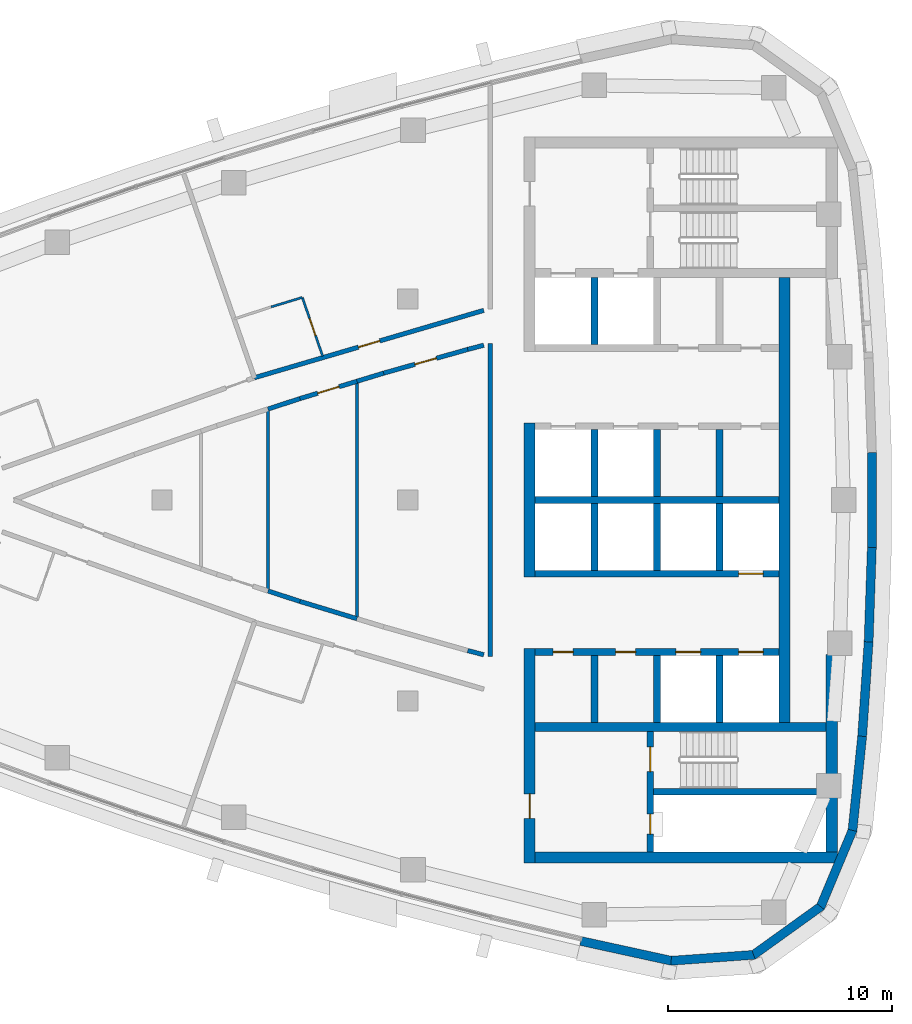
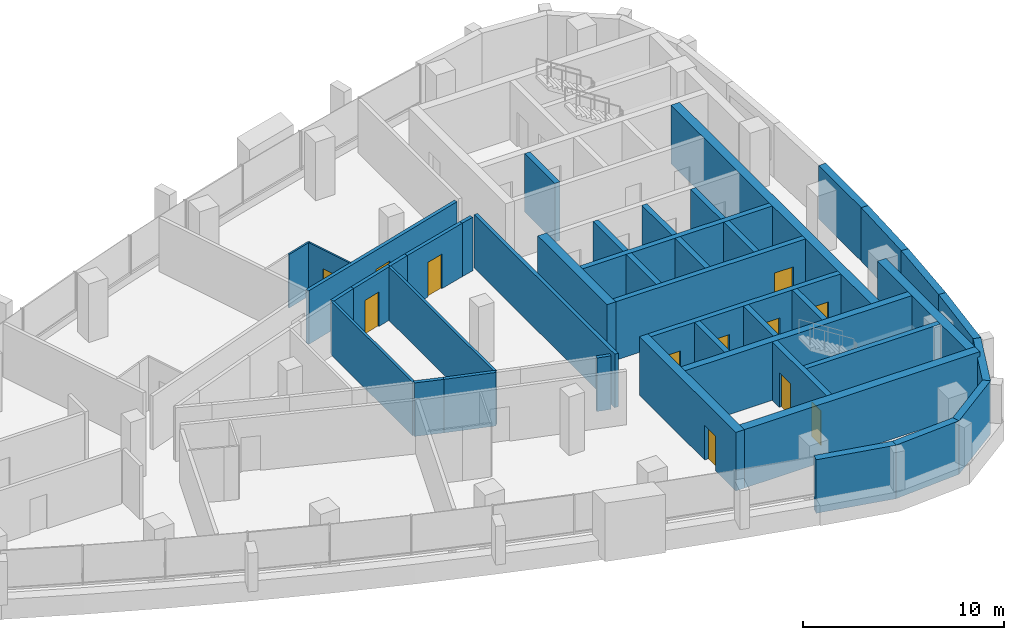
# One storey, part 8 of 14: 43 walls, 12 doors, 12 openings.
"""IFC4 building model written with IfcOpenShell, lengths in metres."""

import ifcopenshell
import ifcopenshell.guid

model = None  # the IFC model being written
_history = None  # IfcOwnerHistory: only IFC2X3 demands one
_inside = {}  # id of a spatial element -> (the spatial element, [elements in it])
_under = {}  # id of a project, library or spatial element -> (it, [spatial elements below it])
_declared = {}  # id of a project -> (the project, [libraries it declares])
_typed = {}  # id of a type object -> (the type object, [elements of that type])
_made_of = {}  # id of a material, layer set ... -> (it, [elements and type objects made of it])


def new_model(schema):
    """Start an empty IFC model of exactly this schema.

    Asked for "IFC4X3", IfcOpenShell would pick the latest addendum, in which some entities
    have other attributes; the version numbers below select the first issue.
    IFC2X3 requires an IfcOwnerHistory on every rooted entity: one is made here for all.
    """
    global model, _history
    if schema == "IFC4X3":
        model = ifcopenshell.file(schema_version=(4, 3, 0, 0))
    else:
        model = ifcopenshell.file(schema=schema)
    _inside.clear()
    _under.clear()
    _declared.clear()
    _typed.clear()
    _made_of.clear()
    _history = None
    if model.schema == "IFC2X3":
        org = make("IfcOrganization", Name="unknown")
        user = make(
            "IfcPersonAndOrganization",
            ThePerson=make("IfcPerson", FamilyName="unknown"),
            TheOrganization=org,
        )
        app = make(
            "IfcApplication",
            ApplicationDeveloper=org,
            Version="unknown",
            ApplicationFullName="unknown",
            ApplicationIdentifier="unknown",
        )
        _history = make(
            "IfcOwnerHistory",
            OwningUser=user,
            OwningApplication=app,
            ChangeAction="ADDED",
            CreationDate=0,
        )
    return model


def make(cls, **values):
    """One entity of the class cls with the attributes given. An attribute that is None is left unset."""
    return model.create_entity(
        cls, **{name: value for name, value in values.items() if value is not None}
    )


def rooted(cls, **values):
    """An entity with a GlobalId (a new one), such as an element, a storey or a relation."""
    return make(cls, GlobalId=ifcopenshell.guid.new(), OwnerHistory=_history, **values)


def si_unit(unit_type, name, prefix=None):
    """IfcSIUnit, for example si_unit("LENGTHUNIT", "METRE", prefix="MILLI")."""
    return make("IfcSIUnit", UnitType=unit_type, Prefix=prefix, Name=name)


def assignment(units):
    """IfcUnitAssignment: the units of a project."""
    return None if units is None else make("IfcUnitAssignment", Units=units)


def point(xyz):
    """IfcCartesianPoint."""
    return None if xyz is None else make("IfcCartesianPoint", Coordinates=xyz)


def direction(xyz):
    """IfcDirection."""
    return None if xyz is None else make("IfcDirection", DirectionRatios=xyz)


def frame(location, z_axis=None, x_axis=None):
    """IfcAxis2Placement3D, a coordinate frame: its origin and axes. An axis left out is left unset."""
    return make(
        "IfcAxis2Placement3D",
        Location=point(location),
        Axis=direction(z_axis),
        RefDirection=direction(x_axis),
    )


def frame_2d(location, x_axis=None):
    """IfcAxis2Placement2D, a coordinate frame in the plane: its origin and x axis."""
    return make(
        "IfcAxis2Placement2D", Location=point(location), RefDirection=direction(x_axis)
    )


def origin():
    """The frame at (0, 0, 0) with its axes left unset."""
    return frame((0.0, 0.0, 0.0))


def place(relative_to, where):
    """IfcLocalPlacement: puts the frame where relative to a parent placement (None: the world)."""
    return make(
        "IfcLocalPlacement", PlacementRelTo=relative_to, RelativePlacement=where
    )


def context(
    kind, dimensions, precision=None, world=None, true_north=None, identifier=None
):
    """IfcGeometricRepresentationContext, for example the 3D "Model" context."""
    return make(
        "IfcGeometricRepresentationContext",
        ContextIdentifier=identifier,
        ContextType=kind,
        CoordinateSpaceDimension=dimensions,
        Precision=precision,
        WorldCoordinateSystem=world,
        TrueNorth=true_north,
    )


def subcontext(parent, identifier, kind, view, scale=None):
    """IfcGeometricRepresentationSubContext, for example "Body" below "Model"."""
    return make(
        "IfcGeometricRepresentationSubContext",
        ContextIdentifier=identifier,
        ContextType=kind,
        ParentContext=parent,
        TargetScale=scale,
        TargetView=view,
    )


def project(units=None, contexts=None):
    """IfcProject with its units and contexts."""
    return rooted(
        "IfcProject",
        Name="project",
        RepresentationContexts=contexts,
        UnitsInContext=assignment(units),
    )


def spatial(cls, under=None, at=None, **own):
    """A site, building, storey or space (cls), placed at a placement, below another one or the project."""
    s = rooted(cls, ObjectPlacement=at, **own)
    if under is not None:
        _under.setdefault(under.id(), (under, []))[1].append(s)
    return s


def polyline(points):
    """IfcPolyline through the points."""
    return make("IfcPolyline", Points=[point(p) for p in points])


def profile(cls, at=None, kind="AREA", **sizes):
    """A parametric profile (cls). Its sizes go by their IFC names, for example OverallWidth=200.0."""
    return make(cls, ProfileType=kind, Position=at, **sizes)


def rectangle(**sizes):
    """IfcRectangleProfileDef."""
    return profile("IfcRectangleProfileDef", **sizes)


def outline(outer, holes=None, kind="AREA"):
    """IfcArbitraryClosedProfileDef: a profile drawn as a closed curve; with holes, ...WithVoids."""
    if holes is None:
        return make("IfcArbitraryClosedProfileDef", ProfileType=kind, OuterCurve=outer)
    return make(
        "IfcArbitraryProfileDefWithVoids",
        ProfileType=kind,
        OuterCurve=outer,
        InnerCurves=holes,
    )


def extrude(swept, where, along, depth):
    """IfcExtrudedAreaSolid: the profile swept, set in the frame where, extruded along a direction by depth."""
    return make(
        "IfcExtrudedAreaSolid",
        SweptArea=swept,
        Position=where,
        ExtrudedDirection=direction(along),
        Depth=depth,
    )


def shape(context_of_items, identifier, shape_type, items):
    """IfcShapeRepresentation: the items that make up one representation, for example the "Body"."""
    return make(
        "IfcShapeRepresentation",
        ContextOfItems=context_of_items,
        RepresentationIdentifier=identifier,
        RepresentationType=shape_type,
        Items=items,
    )


def material(Name=None, Category=None):
    """IfcMaterial."""
    return make("IfcMaterial", Name=Name, Category=Category)


def layer(
    of_material, thickness, ventilated=None, Name=None, Category=None, Priority=None
):
    """IfcMaterialLayer: one layer of a wall or slab, of a material (None: an air gap)."""
    return make(
        "IfcMaterialLayer",
        Material=of_material,
        LayerThickness=thickness,
        IsVentilated=ventilated,
        Name=Name,
        Category=Category,
        Priority=Priority,
    )


def layer_set(layers, Name=None):
    """IfcMaterialLayerSet."""
    return make("IfcMaterialLayerSet", MaterialLayers=layers, LayerSetName=Name)


def made_of(thing, what):
    """Note that an element or type object is made of a material, layer set ...; save() writes the relation."""
    if what is not None:
        _made_of.setdefault(what.id(), (what, []))[1].append(thing)
    return thing


def type_object(cls, material=None, **own):
    """A type object (cls), such as IfcWallType, which elements share."""
    return made_of(rooted(cls, **own), material)


def element(
    cls,
    number,
    at=None,
    inside=None,
    cuts=None,
    type_object=None,
    material=None,
    context=None,
    identifier="Body",
    shape_type=None,
    held_by="IfcProductDefinitionShape",
    body=None,
    shapes=None,
    **own,
):
    """One element of the class cls, such as IfcWall. Its Tag is "e" and its number.

    at: its placement. inside: the storey or other place that contains it. cuts: it is an
    opening in that element (IfcRelVoidsElement). A single representation is given by context,
    identifier, shape_type and body (its items); several are given by shapes. held_by: the class
    of the entity that holds the representations. save() writes the other relations.
    """
    e = rooted(cls, Tag="e%d" % number, ObjectPlacement=at, **own)
    if body is not None:
        shapes = [shape(context, identifier, shape_type, body)]
    if shapes is not None:
        e.Representation = make(held_by, Representations=shapes)
    if inside is not None:
        _inside.setdefault(inside.id(), (inside, []))[1].append(e)
    if cuts is not None:
        rooted(
            "IfcRelVoidsElement", RelatingBuildingElement=cuts, RelatedOpeningElement=e
        )
    if type_object is not None:
        _typed.setdefault(type_object.id(), (type_object, []))[1].append(e)
    return made_of(e, material)


def fill(opening, filler):
    """IfcRelFillsElement: the door or window that sits in an opening."""
    return rooted(
        "IfcRelFillsElement",
        RelatingOpeningElement=opening,
        RelatedBuildingElement=filler,
    )


def aggregate(whole, parts):
    """IfcRelAggregates: a whole, such as a stair, and the parts it consists of."""
    return rooted("IfcRelAggregates", RelatingObject=whole, RelatedObjects=parts)


def save(model, path):
    """Write the relations noted so far, then the file.

    IfcRelAggregates (storeys below a building ...), IfcRelContainedInSpatialStructure (elements
    in a storey), IfcRelDefinesByType, IfcRelAssociatesMaterial and IfcRelDeclares: one each for
    every whole, place, type object, material and project.
    """
    for whole, parts in _under.values():
        aggregate(whole, parts)
    for where, things in _inside.values():
        rooted(
            "IfcRelContainedInSpatialStructure",
            RelatedElements=things,
            RelatingStructure=where,
        )
    for kind, things in _typed.values():
        rooted("IfcRelDefinesByType", RelatedObjects=things, RelatingType=kind)
    for what, things in _made_of.values():
        rooted("IfcRelAssociatesMaterial", RelatedObjects=things, RelatingMaterial=what)
    for by, libraries in _declared.values():
        rooted("IfcRelDeclares", RelatingContext=by, RelatedDefinitions=libraries)
    model.write(path)


model = new_model("IFC4")

# Units and contexts
model_context = context("Model", 3, precision=1e-05, world=origin(), true_north=direction((0.0, 1.0)))
body_context = subcontext(model_context, "Body", "Model", "MODEL_VIEW")
ifc_project = project(units=[si_unit("LENGTHUNIT", "METRE"), si_unit("AREAUNIT", "SQUARE_METRE"), si_unit("VOLUMEUNIT", "CUBIC_METRE"), si_unit("PLANEANGLEUNIT", "RADIAN"), si_unit("MASSUNIT", "GRAM", prefix="KILO")], contexts=[model_context])

# Site, building, storey
site_placement = place(None, origin())
site = spatial("IfcSite", under=ifc_project, at=site_placement, CompositionType="ELEMENT")
building_placement = place(site_placement, origin())
building = spatial("IfcBuilding", under=site, at=building_placement, Name="Ostrand Prow Hotel Tower", CompositionType="ELEMENT")
storey_placement = place(building_placement, frame((0.0, 0.0, 278.550048828125)))
storey = spatial("IfcBuildingStorey", under=building, at=storey_placement, Name="L70", CompositionType="ELEMENT", Elevation=278.550048828125)

# Walls
ifc_material_1 = material(Name="Concrete C50/60", Category="concrete")
ifc_layer_1 = layer(ifc_material_1, 0.300048828125)
ifc_layer_set_1 = layer_set([ifc_layer_1], Name="Concrete C50/60")
wall_type_1 = type_object("IfcWallType", Name="Core wall 300 C50/60", PredefinedType="SHEAR", material=ifc_layer_set_1)
wall_1_placement = place(storey_placement, frame((50.699951171875, 0.0, 0.0), z_axis=(0.0, 0.0, 1.0), x_axis=(1.0, 0.0, 0.0)))
element("IfcWall", 1, at=wall_1_placement, inside=storey, type_object=wall_type_1, Name="Core wall PW-C", PredefinedType="SHEAR", context=body_context, shape_type="SweptSolid", body=[
    extrude(rectangle(XDim=10.900146484375, YDim=0.300048828125, at=frame_2d((5.4501953125, 0.0))), origin(), (0.0, 0.0, 1.0), 3.550048828125),
])
for number, where, z_axis, x_axis, name in (
    (2, (53.35009765625, 0.14990234375, 0.0), (0.0, 0.0, 1.0), (0.0, 1.0, 0.0), "Core wall PW-R1-NB"),
    (3, (53.35009765625, 6.949951171875, 0.0), (0.0, 0.0, 1.0), (0.0, 1.0, 0.0), "Core wall PW-R1-NA"),
    (4, (56.14990234375, 0.14990234375, 0.0), (0.0, 0.0, 1.0), (0.0, 1.0, 0.0), "Core wall PW-R2-NB"),
    (5, (58.949951171875, 0.14990234375, 0.0), (0.0, 0.0, 1.0), (0.0, 1.0, 0.0), "Core wall PW-R3-NB"),
):
    element("IfcWall", number, at=place(storey_placement, frame(where, z_axis=z_axis, x_axis=x_axis)), inside=storey, type_object=wall_type_1, Name=name, PredefinedType="SHEAR", context=body_context, shape_type="SweptSolid", body=[
        extrude(rectangle(XDim=3.0, YDim=0.300048828125, at=frame_2d((1.5, 0.0))), origin(), (0.0, 0.0, 1.0), 3.550048828125),
    ])

# Wall, opening, door
wall_2_placement = place(storey_placement, frame((50.699951171875, -3.300048828125, 0.0), z_axis=(0.0, 0.0, 1.0), x_axis=(1.0, 0.0, 0.0)))
wall_2 = element("IfcWall", 6, at=wall_2_placement, inside=storey, type_object=wall_type_1, Name="Core wall PW-L1-S", PredefinedType="SHEAR", context=body_context, shape_type="SweptSolid", body=[
    extrude(rectangle(XDim=10.900146484375, YDim=0.300048828125, at=frame_2d((5.4501953125, 0.0))), origin(), (0.0, 0.0, 1.0), 3.550048828125),
])
opening_1_placement = place(wall_2_placement, frame((9.10009765625, 0.0, 0.0)))
opening_1 = element("IfcOpeningElement", 7, at=opening_1_placement, cuts=wall_2, Name="Opening LD", PredefinedType="OPENING", context=body_context, shape_type="SweptSolid", body=[
    extrude(rectangle(XDim=1.10009765625, YDim=2.10009765625, at=frame_2d((0.550048828125, 1.050048828125))), frame((0.0, 0.159912109375, 0.0), z_axis=(0.0, -1.0, 0.0), x_axis=(1.0, 0.0, 0.0)), (0.0, 0.0, 1.0), 0.320068359375),
])
ifc_material_2 = material(Name="Stainless steel door", Category="steel")
door_type_1 = type_object("IfcDoorType", Name="Lift landing door 1100", OperationType="DOUBLE_DOOR_SLIDING", PredefinedType="DOOR", material=ifc_material_2)
door_1_placement = place(opening_1_placement, origin())
door_1 = element("IfcDoor", 8, at=door_1_placement, inside=storey, type_object=door_type_1, Name="LIFT LANDING DOOR", OperationType="DOUBLE_DOOR_SLIDING", OverallHeight=2.10009765625, OverallWidth=1.10009765625, PredefinedType="DOOR", context=body_context, shape_type="SweptSolid", body=[
    extrude(rectangle(XDim=1.10009765625, YDim=2.10009765625, at=frame_2d((0.550048828125, 1.050048828125))), frame((0.0, 0.02490234375, 0.0), z_axis=(0.0, -1.0, 0.0), x_axis=(1.0, 0.0, 0.0)), (0.0, 0.0, 1.0), 0.050048828125),
])
fill(opening_1, door_1)

# Wall, openings, doors
wall_3_placement = place(storey_placement, frame((50.699951171875, -6.800048828125, 0.0), z_axis=(0.0, 0.0, 1.0), x_axis=(1.0, 0.0, 0.0)))
wall_3 = element("IfcWall", 9, at=wall_3_placement, inside=storey, type_object=wall_type_1, Name="Core wall PW-L2-S", PredefinedType="SHEAR", context=body_context, shape_type="SweptSolid", body=[
    extrude(rectangle(XDim=10.900146484375, YDim=0.300048828125, at=frame_2d((5.4501953125, 0.0))), origin(), (0.0, 0.0, 1.0), 3.550048828125),
])
opening_2_placement = place(wall_3_placement, frame((6.300048828125, 0.0, 0.0)))
opening_2 = element("IfcOpeningElement", 10, at=opening_2_placement, cuts=wall_3, Name="Opening LD", PredefinedType="OPENING", context=body_context, shape_type="SweptSolid", body=[
    extrude(rectangle(XDim=1.10009765625, YDim=2.10009765625, at=frame_2d((0.550048828125, 1.050048828125))), frame((0.0, 0.159912109375, 0.0), z_axis=(0.0, -1.0, 0.0), x_axis=(1.0, 0.0, 0.0)), (0.0, 0.0, 1.0), 0.320068359375),
])
opening_3_placement = place(wall_3_placement, frame((9.10009765625, 0.0, 0.0)))
opening_3 = element("IfcOpeningElement", 11, at=opening_3_placement, cuts=wall_3, Name="Opening LD", PredefinedType="OPENING", context=body_context, shape_type="SweptSolid", body=[
    extrude(rectangle(XDim=1.10009765625, YDim=2.10009765625, at=frame_2d((0.550048828125, 1.050048828125))), frame((0.0, 0.159912109375, 0.0), z_axis=(0.0, -1.0, 0.0), x_axis=(1.0, 0.0, 0.0)), (0.0, 0.0, 1.0), 0.320068359375),
])
opening_4_placement = place(wall_3_placement, frame((0.800048828125, 0.0, 0.0)))
opening_4 = element("IfcOpeningElement", 12, at=opening_4_placement, cuts=wall_3, Name="Opening FD2", PredefinedType="OPENING", context=body_context, shape_type="SweptSolid", body=[
    extrude(rectangle(XDim=0.89990234375, YDim=2.10009765625, at=frame_2d((0.449951171875, 1.050048828125))), frame((0.0, 0.159912109375, 0.0), z_axis=(0.0, -1.0, 0.0), x_axis=(1.0, 0.0, 0.0)), (0.0, 0.0, 1.0), 0.320068359375),
])
opening_5_placement = place(wall_3_placement, frame((3.60009765625, 0.0, 0.0)))
opening_5 = element("IfcOpeningElement", 13, at=opening_5_placement, cuts=wall_3, Name="Opening FD2", PredefinedType="OPENING", context=body_context, shape_type="SweptSolid", body=[
    extrude(rectangle(XDim=0.89990234375, YDim=2.10009765625, at=frame_2d((0.449951171875, 1.050048828125))), frame((0.0, 0.159912109375, 0.0), z_axis=(0.0, -1.0, 0.0), x_axis=(1.0, 0.0, 0.0)), (0.0, 0.0, 1.0), 0.320068359375),
])
ifc_material_3 = material(Name="Steel fire door", Category="steel")
door_type_2 = type_object("IfcDoorType", Name="Fire door 900 EI120", OperationType="SINGLE_SWING_LEFT", PredefinedType="DOOR", material=ifc_material_3)
door_2_placement = place(opening_4_placement, origin())
door_2 = element("IfcDoor", 14, at=door_2_placement, inside=storey, type_object=door_type_2, Name="DOOR", OperationType="SINGLE_SWING_LEFT", OverallHeight=2.10009765625, OverallWidth=0.89990234375, PredefinedType="DOOR", context=body_context, shape_type="SweptSolid", body=[
    extrude(rectangle(XDim=0.89990234375, YDim=2.10009765625, at=frame_2d((0.449951171875, 1.050048828125))), frame((0.0, 0.02490234375, 0.0), z_axis=(0.0, -1.0, 0.0), x_axis=(1.0, 0.0, 0.0)), (0.0, 0.0, 1.0), 0.050048828125),
])
fill(opening_4, door_2)
door_3_placement = place(opening_5_placement, origin())
door_3 = element("IfcDoor", 15, at=door_3_placement, inside=storey, type_object=door_type_2, Name="DOOR", OperationType="SINGLE_SWING_LEFT", OverallHeight=2.10009765625, OverallWidth=0.89990234375, PredefinedType="DOOR", context=body_context, shape_type="SweptSolid", body=[
    extrude(rectangle(XDim=0.89990234375, YDim=2.10009765625, at=frame_2d((0.449951171875, 1.050048828125))), frame((0.0, 0.02490234375, 0.0), z_axis=(0.0, -1.0, 0.0), x_axis=(1.0, 0.0, 0.0)), (0.0, 0.0, 1.0), 0.050048828125),
])
fill(opening_5, door_3)
door_4_placement = place(opening_2_placement, origin())
door_4 = element("IfcDoor", 16, at=door_4_placement, inside=storey, type_object=door_type_1, Name="LIFT LANDING DOOR", OperationType="DOUBLE_DOOR_SLIDING", OverallHeight=2.10009765625, OverallWidth=1.10009765625, PredefinedType="DOOR", context=body_context, shape_type="SweptSolid", body=[
    extrude(rectangle(XDim=1.10009765625, YDim=2.10009765625, at=frame_2d((0.550048828125, 1.050048828125))), frame((0.0, 0.02490234375, 0.0), z_axis=(0.0, -1.0, 0.0), x_axis=(1.0, 0.0, 0.0)), (0.0, 0.0, 1.0), 0.050048828125),
])
fill(opening_2, door_4)
door_5_placement = place(opening_3_placement, origin())
door_5 = element("IfcDoor", 17, at=door_5_placement, inside=storey, type_object=door_type_1, Name="LIFT LANDING DOOR", OperationType="DOUBLE_DOOR_SLIDING", OverallHeight=2.10009765625, OverallWidth=1.10009765625, PredefinedType="DOOR", context=body_context, shape_type="SweptSolid", body=[
    extrude(rectangle(XDim=1.10009765625, YDim=2.10009765625, at=frame_2d((0.550048828125, 1.050048828125))), frame((0.0, 0.02490234375, 0.0), z_axis=(0.0, -1.0, 0.0), x_axis=(1.0, 0.0, 0.0)), (0.0, 0.0, 1.0), 0.050048828125),
])
fill(opening_3, door_5)

# Walls
for number, where, z_axis, x_axis, name in (
    (18, (53.35009765625, -3.14990234375, 0.0), (0.0, 0.0, 1.0), (0.0, 1.0, 0.0), "Core wall PW-R1-SB"),
    (19, (53.35009765625, -9.949951171875, 0.0), (0.0, 0.0, 1.0), (0.0, 1.0, 0.0), "Core wall PW-R1-SA"),
    (20, (56.14990234375, -3.14990234375, 0.0), (0.0, 0.0, 1.0), (0.0, 1.0, 0.0), "Core wall PW-R2-SB"),
    (21, (56.14990234375, -9.949951171875, 0.0), (0.0, 0.0, 1.0), (0.0, 1.0, 0.0), "Core wall PW-R2-SA"),
    (22, (58.949951171875, -3.14990234375, 0.0), (0.0, 0.0, 1.0), (0.0, 1.0, 0.0), "Core wall PW-R3-SB"),
    (23, (58.949951171875, -9.949951171875, 0.0), (0.0, 0.0, 1.0), (0.0, 1.0, 0.0), "Core wall PW-R3-SA"),
):
    element("IfcWall", number, at=place(storey_placement, frame(where, z_axis=z_axis, x_axis=x_axis)), inside=storey, type_object=wall_type_1, Name=name, PredefinedType="SHEAR", context=body_context, shape_type="SweptSolid", body=[
        extrude(rectangle(XDim=3.0, YDim=0.300048828125, at=frame_2d((1.5, 0.0))), origin(), (0.0, 0.0, 1.0), 3.550048828125),
    ])

# Wall, openings, doors
wall_4_placement = place(storey_placement, frame((55.85009765625, -15.75, 0.0), z_axis=(0.0, 0.0, 1.0), x_axis=(0.0, 1.0, 0.0)))
wall_4 = element("IfcWall", 24, at=wall_4_placement, inside=storey, type_object=wall_type_1, Name="Core wall PW-VS", PredefinedType="SHEAR", context=body_context, shape_type="SweptSolid", body=[
    extrude(rectangle(XDim=5.39990234375, YDim=0.300048828125, at=frame_2d((2.699951171875, 0.0))), origin(), (0.0, 0.0, 1.0), 3.550048828125),
])
opening_6_placement = place(wall_4_placement, frame((3.60009765625, 0.0, 0.0)))
opening_6 = element("IfcOpeningElement", 25, at=opening_6_placement, cuts=wall_4, Name="Opening FD1", PredefinedType="OPENING", context=body_context, shape_type="SweptSolid", body=[
    extrude(rectangle(XDim=1.10009765625, YDim=2.10009765625, at=frame_2d((0.550048828125, 1.050048828125))), frame((0.0, 0.159912109375, 0.0), z_axis=(0.0, -1.0, 0.0), x_axis=(1.0, 0.0, 0.0)), (0.0, 0.0, 1.0), 0.320068359375),
])
opening_7_placement = place(wall_4_placement, frame((0.800048828125, 0.0, 0.0)))
opening_7 = element("IfcOpeningElement", 26, at=opening_7_placement, cuts=wall_4, Name="Opening FD2", PredefinedType="OPENING", context=body_context, shape_type="SweptSolid", body=[
    extrude(rectangle(XDim=0.89990234375, YDim=2.10009765625, at=frame_2d((0.449951171875, 1.050048828125))), frame((0.0, 0.159912109375, 0.0), z_axis=(0.0, -1.0, 0.0), x_axis=(1.0, 0.0, 0.0)), (0.0, 0.0, 1.0), 0.320068359375),
])
ifc_material_4 = material(Name="Steel fire door", Category="steel")
door_type_3 = type_object("IfcDoorType", Name="Fire door 1100 EI120", OperationType="SINGLE_SWING_RIGHT", PredefinedType="DOOR", material=ifc_material_4)
door_6_placement = place(opening_6_placement, origin())
door_6 = element("IfcDoor", 27, at=door_6_placement, inside=storey, type_object=door_type_3, Name="FIRE DOOR", OperationType="SINGLE_SWING_RIGHT", OverallHeight=2.10009765625, OverallWidth=1.10009765625, PredefinedType="DOOR", context=body_context, shape_type="SweptSolid", body=[
    extrude(rectangle(XDim=1.10009765625, YDim=2.10009765625, at=frame_2d((0.550048828125, 1.050048828125))), frame((0.0, 0.02490234375, 0.0), z_axis=(0.0, -1.0, 0.0), x_axis=(1.0, 0.0, 0.0)), (0.0, 0.0, 1.0), 0.050048828125),
])
fill(opening_6, door_6)
door_7_placement = place(opening_7_placement, origin())
door_7 = element("IfcDoor", 28, at=door_7_placement, inside=storey, type_object=door_type_2, Name="FIRE DOOR", OperationType="SINGLE_SWING_LEFT", OverallHeight=2.10009765625, OverallWidth=0.89990234375, PredefinedType="DOOR", context=body_context, shape_type="SweptSolid", body=[
    extrude(rectangle(XDim=0.89990234375, YDim=2.10009765625, at=frame_2d((0.449951171875, 1.050048828125))), frame((0.0, 0.02490234375, 0.0), z_axis=(0.0, -1.0, 0.0), x_axis=(1.0, 0.0, 0.0)), (0.0, 0.0, 1.0), 0.050048828125),
])
fill(opening_7, door_7)

# Walls
wall_5_placement = place(storey_placement, frame((56.0, -13.050048828125, 0.0), z_axis=(0.0, 0.0, 1.0), x_axis=(1.0, 0.0, 0.0)))
element("IfcWall", 29, at=wall_5_placement, inside=storey, type_object=wall_type_1, Name="Core wall PW-ST2R", PredefinedType="SHEAR", context=body_context, shape_type="SweptSolid", body=[
    extrude(rectangle(XDim=7.719970703125, YDim=0.300048828125, at=frame_2d((3.85986328125, 0.0))), origin(), (0.0, 0.0, 1.0), 3.550048828125),
])
ifc_material_5 = material(Name="Concrete C50/60", Category="concrete")
ifc_layer_2 = layer(ifc_material_5, 0.39990234375)
ifc_layer_set_2 = layer_set([ifc_layer_2], Name="Concrete C50/60")
wall_type_2 = type_object("IfcWallType", Name="Core wall 400 C50/60", PredefinedType="SHEAR", material=ifc_layer_set_2)
wall_6_placement = place(storey_placement, frame((50.699951171875, -10.14990234375, 0.0), z_axis=(0.0, 0.0, 1.0), x_axis=(1.0, 0.0, 0.0)))
element("IfcWall", 30, at=wall_6_placement, inside=storey, type_object=wall_type_2, Name="Core wall PW-BS", PredefinedType="SHEAR", context=body_context, shape_type="SweptSolid", body=[
    extrude(rectangle(XDim=13.02001953125, YDim=0.39990234375, at=frame_2d((6.510009765625, 0.0))), origin(), (0.0, 0.0, 1.0), 3.550048828125),
])
ifc_material_6 = material(Name="Concrete C50/60", Category="concrete")
ifc_layer_3 = layer(ifc_material_6, 0.5)
ifc_layer_set_3 = layer_set([ifc_layer_3], Name="Concrete C50/60")
wall_type_3 = type_object("IfcWallType", Name="Core wall 500 C50/60", PredefinedType="SHEAR", material=ifc_layer_set_3)
wall_7_placement = place(storey_placement, frame((50.449951171875, -3.449951171875, 0.0), z_axis=(0.0, 0.0, 1.0), x_axis=(0.0, 1.0, 0.0)))
element("IfcWall", 31, at=wall_7_placement, inside=storey, type_object=wall_type_3, Name="Core wall CW-W-C", PredefinedType="SHEAR", context=body_context, shape_type="SweptSolid", body=[
    extrude(rectangle(XDim=6.89990234375, YDim=0.5, at=frame_2d((3.449951171875, 0.0))), origin(), (0.0, 0.0, 1.0), 3.550048828125),
])

# Wall, opening, door
wall_8_placement = place(storey_placement, frame((50.449951171875, -16.25, 0.0), z_axis=(0.0, 0.0, 1.0), x_axis=(0.0, 1.0, 0.0)))
wall_8 = element("IfcWall", 32, at=wall_8_placement, inside=storey, type_object=wall_type_3, Name="Core wall CW-W-S", PredefinedType="SHEAR", context=body_context, shape_type="SweptSolid", body=[
    extrude(rectangle(XDim=9.60009765625, YDim=0.5, at=frame_2d((4.800048828125, 0.0))), origin(), (0.0, 0.0, 1.0), 3.550048828125),
])
opening_8_placement = place(wall_8_placement, frame((2.0, 0.0, 0.0)))
opening_8 = element("IfcOpeningElement", 33, at=opening_8_placement, cuts=wall_8, Name="Opening FD1", PredefinedType="OPENING", context=body_context, shape_type="SweptSolid", body=[
    extrude(rectangle(XDim=1.10009765625, YDim=2.10009765625, at=frame_2d((0.550048828125, 1.050048828125))), frame((0.0, 0.260009765625, 0.0), z_axis=(0.0, -1.0, 0.0), x_axis=(1.0, 0.0, 0.0)), (0.0, 0.0, 1.0), 0.52001953125),
])
door_8_placement = place(opening_8_placement, origin())
door_8 = element("IfcDoor", 34, at=door_8_placement, inside=storey, type_object=door_type_3, Name="FIRE DOOR", OperationType="SINGLE_SWING_RIGHT", OverallHeight=2.10009765625, OverallWidth=1.10009765625, PredefinedType="DOOR", context=body_context, shape_type="SweptSolid", body=[
    extrude(rectangle(XDim=1.10009765625, YDim=2.10009765625, at=frame_2d((0.550048828125, 1.050048828125))), frame((0.0, 0.02490234375, 0.0), z_axis=(0.0, -1.0, 0.0), x_axis=(1.0, 0.0, 0.0)), (0.0, 0.0, 1.0), 0.050048828125),
])
fill(opening_8, door_8)

# Walls
wall_9_placement = place(storey_placement, frame((50.699951171875, -16.0, 0.0), z_axis=(0.0, 0.0, 1.0), x_axis=(1.0, 0.0, 0.0)))
element("IfcWall", 35, at=wall_9_placement, inside=storey, type_object=wall_type_3, Name="Core wall CW-S", PredefinedType="SHEAR", context=body_context, shape_type="SweptSolid", body=[
    extrude(rectangle(XDim=13.52001953125, YDim=0.5, at=frame_2d((6.760009765625, 0.0))), origin(), (0.0, 0.0, 1.0), 3.550048828125),
])
wall_10_placement = place(storey_placement, frame((63.969970703125, -15.75, 0.0), z_axis=(0.0, 0.0, 1.0), x_axis=(0.0, 1.0, 0.0)))
element("IfcWall", 36, at=wall_10_placement, inside=storey, type_object=wall_type_3, Name="Core wall CW-E-S", PredefinedType="SHEAR", context=body_context, shape_type="SweptSolid", body=[
    extrude(rectangle(XDim=8.8466796875, YDim=0.5, at=frame_2d((4.42333984375, 0.0))), origin(), (0.0, 0.0, 1.0), 3.550048828125),
])
wall_11_placement = place(storey_placement, frame((61.85009765625, -9.949951171875, 0.0), z_axis=(0.0, 0.0, 1.0), x_axis=(0.0, 1.0, 0.0)))
element("IfcWall", 37, at=wall_11_placement, inside=storey, type_object=wall_type_3, Name="Core wall CW-E-C", PredefinedType="SHEAR", context=body_context, shape_type="SweptSolid", body=[
    extrude(rectangle(XDim=19.89990234375, YDim=0.5, at=frame_2d((9.949951171875, 0.0))), origin(), (0.0, 0.0, 1.0), 3.550048828125),
])
ifc_material_7 = material(Name="Plasterboard partition")
ifc_layer_4 = layer(ifc_material_7, 0.10009765625)
ifc_layer_set_4 = layer_set([ifc_layer_4], Name="Plasterboard partition")
wall_type_4 = type_object("IfcWallType", Name="Partition 100 bathroom wall", PredefinedType="PARTITIONING", material=ifc_layer_set_4)
wall_12_placement = place(storey_placement, frame((38.88232421875, 8.6376953125, 0.0), z_axis=(0.0, 0.0, 1.0), x_axis=(0.956734544447, 0.290962216555, 0.0)))
element("IfcWall", 38, at=wall_12_placement, inside=storey, type_object=wall_type_4, Name="BATHROOM WALL", PredefinedType="PARTITIONING", context=body_context, shape_type="SweptSolid", body=[
    extrude(rectangle(XDim=1.461669921875, YDim=0.10009765625, at=frame_2d((0.73095703125, 0.0))), origin(), (0.0, 0.0, 1.0), 3.25),
])

# Wall, opening, door
wall_13_placement = place(storey_placement, frame((40.281005859375, 9.062744140625, 0.0), z_axis=(0.0, 0.0, 1.0), x_axis=(0.327695885805, -0.944783258968, 0.0)))
wall_13 = element("IfcWall", 39, at=wall_13_placement, inside=storey, type_object=wall_type_4, Name="BATHROOM WALL", PredefinedType="PARTITIONING", context=body_context, shape_type="SweptSolid", body=[
    extrude(rectangle(XDim=2.779052734375, YDim=0.10009765625, at=frame_2d((1.3896484375, 0.0))), origin(), (0.0, 0.0, 1.0), 3.25),
])
opening_9_placement = place(wall_13_placement, frame((1.0, 0.0, 0.0)))
opening_9 = element("IfcOpeningElement", 40, at=opening_9_placement, cuts=wall_13, Name="Opening D2", PredefinedType="OPENING", context=body_context, shape_type="SweptSolid", body=[
    extrude(rectangle(XDim=0.800048828125, YDim=2.10009765625, at=frame_2d((0.39990234375, 1.050048828125))), frame((0.0, 0.06005859375, 0.0), z_axis=(0.0, -1.0, 0.0), x_axis=(1.0, 0.0, 0.0)), (0.0, 0.0, 1.0), 0.1201171875),
])
ifc_material_8 = material(Name="Timber door leaf", Category="wood")
door_type_4 = type_object("IfcDoorType", Name="Bathroom door 800", OperationType="SINGLE_SWING_LEFT", PredefinedType="DOOR", material=ifc_material_8)
door_9_placement = place(opening_9_placement, origin())
door_9 = element("IfcDoor", 41, at=door_9_placement, inside=storey, type_object=door_type_4, Name="DOOR", OperationType="SINGLE_SWING_LEFT", OverallHeight=2.10009765625, OverallWidth=0.800048828125, PredefinedType="DOOR", context=body_context, shape_type="SweptSolid", body=[
    extrude(rectangle(XDim=0.800048828125, YDim=2.10009765625, at=frame_2d((0.39990234375, 1.050048828125))), frame((0.0, 0.02490234375, 0.0), z_axis=(0.0, -1.0, 0.0), x_axis=(1.0, 0.0, 0.0)), (0.0, 0.0, 1.0), 0.050048828125),
])
fill(opening_9, door_9)

# Walls
ifc_material_9 = material(Name="Plasterboard partition")
ifc_layer_5 = layer(ifc_material_9, 0.14990234375)
ifc_layer_set_5 = layer_set([ifc_layer_5], Name="Plasterboard partition")
wall_type_5 = type_object("IfcWallType", Name="Partition 150 room partition", PredefinedType="PARTITIONING", material=ifc_layer_set_5)
wall_14_placement = place(storey_placement, frame((38.746337890625, -4.0703125, 0.0), z_axis=(0.0, 0.0, 1.0), x_axis=(0.0, 1.0, 0.0)))
element("IfcWall", 42, at=wall_14_placement, inside=storey, type_object=wall_type_5, Name="ROOM PARTITION", PredefinedType="PARTITIONING", context=body_context, shape_type="SweptSolid", body=[
    extrude(rectangle(XDim=8.140625, YDim=0.14990234375, at=frame_2d((4.0703125, 0.0))), origin(), (0.0, 0.0, 1.0), 3.25),
])
wall_15_placement = place(storey_placement, frame((42.727783203125, -5.3125, 0.0), z_axis=(0.0, 0.0, 1.0), x_axis=(0.0, 1.0, 0.0)))
element("IfcWall", 43, at=wall_15_placement, inside=storey, type_object=wall_type_5, Name="ROOM PARTITION", PredefinedType="PARTITIONING", context=body_context, shape_type="SweptSolid", body=[
    extrude(rectangle(XDim=10.625, YDim=0.14990234375, at=frame_2d((5.3125, 0.0))), origin(), (0.0, 0.0, 1.0), 3.25),
])

# Wall, opening, door
ifc_material_10 = material(Name="Plasterboard partition")
ifc_layer_6 = layer(ifc_material_10, 0.199951171875)
ifc_layer_set_6 = layer_set([ifc_layer_6], Name="Plasterboard partition")
wall_type_6 = type_object("IfcWallType", Name="Partition 200 corridor wall", PredefinedType="PARTITIONING", material=ifc_layer_set_6)
wall_16_placement = place(storey_placement, frame((40.1748046875, 4.5361328125, 0.0), z_axis=(0.0, 0.0, 1.0), x_axis=(0.95673923086, 0.290946806363, 0.0)))
wall_16 = element("IfcWall", 44, at=wall_16_placement, inside=storey, type_object=wall_type_6, Name="CORRIDOR WALL", PredefinedType="PARTITIONING", context=body_context, shape_type="SweptSolid", body=[
    extrude(rectangle(XDim=2.66845703125, YDim=0.199951171875, at=frame_2d((1.334228515625, 0.0))), origin(), (0.0, 0.0, 1.0), 3.25),
])
opening_10_placement = place(wall_16_placement, frame((0.834228515625, 0.0, 0.0)))
opening_10 = element("IfcOpeningElement", 45, at=opening_10_placement, cuts=wall_16, Name="Opening D1R", PredefinedType="OPENING", context=body_context, shape_type="SweptSolid", body=[
    extrude(rectangle(XDim=1.0, YDim=2.10009765625, at=frame_2d((0.5, 1.050048828125))), frame((0.0, 0.10986328125, 0.0), z_axis=(0.0, -1.0, 0.0), x_axis=(1.0, 0.0, 0.0)), (0.0, 0.0, 1.0), 0.219970703125),
])
ifc_material_11 = material(Name="Timber door leaf", Category="wood")
door_type_5 = type_object("IfcDoorType", Name="Guest room door 1000 right", OperationType="SINGLE_SWING_RIGHT", PredefinedType="DOOR", material=ifc_material_11)
door_10_placement = place(opening_10_placement, origin())
door_10 = element("IfcDoor", 46, at=door_10_placement, inside=storey, type_object=door_type_5, Name="DOOR", OperationType="SINGLE_SWING_RIGHT", OverallHeight=2.10009765625, OverallWidth=1.0, PredefinedType="DOOR", context=body_context, shape_type="SweptSolid", body=[
    extrude(rectangle(XDim=1.0, YDim=2.10009765625, at=frame_2d((0.5, 1.050048828125))), frame((0.0, 0.02490234375, 0.0), z_axis=(0.0, -1.0, 0.0), x_axis=(1.0, 0.0, 0.0)), (0.0, 0.0, 1.0), 0.050048828125),
])
fill(opening_10, door_10)

# Walls
wall_17_placement = place(storey_placement, frame((42.727783203125, -5.3125, 0.0), z_axis=(0.0, 0.0, 1.0), x_axis=(-0.95673923086, 0.290946806363, 0.0)))
element("IfcWall", 47, at=wall_17_placement, inside=storey, type_object=wall_type_6, Name="CORRIDOR WALL", PredefinedType="PARTITIONING", context=body_context, shape_type="SweptSolid", body=[
    extrude(rectangle(XDim=2.66845703125, YDim=0.199951171875, at=frame_2d((1.334228515625, 0.0))), origin(), (0.0, 0.0, 1.0), 3.25),
])
for number, where, z_axis, x_axis, name in (
    (48, (40.1748046875, -4.5361328125, 0.0), (0.0, 0.0, 1.0), (-0.950726715968, 0.310030178442, 0.0), "CORRIDOR WALL"),
    (49, (38.746337890625, 4.0703125, 0.0), (0.0, 0.0, 1.0), (0.950726715968, 0.310030178442, 0.0), "CORRIDOR WALL"),
):
    element("IfcWall", number, at=place(storey_placement, frame(where, z_axis=z_axis, x_axis=x_axis)), inside=storey, type_object=wall_type_6, Name=name, PredefinedType="PARTITIONING", context=body_context, shape_type="SweptSolid", body=[
        extrude(rectangle(XDim=1.50244140625, YDim=0.199951171875, at=frame_2d((0.751220703125, 0.0))), origin(), (0.0, 0.0, 1.0), 3.25),
    ])

# Wall, opening, door
wall_18_placement = place(storey_placement, frame((43.91845703125, 5.6748046875, 0.0), z_axis=(0.0, 0.0, 1.0), x_axis=(0.962411212211, 0.271596499628, 0.0)))
wall_18 = element("IfcWall", 50, at=wall_18_placement, inside=storey, type_object=wall_type_6, Name="CORRIDOR WALL", PredefinedType="PARTITIONING", context=body_context, shape_type="SweptSolid", body=[
    extrude(rectangle(XDim=3.912841796875, YDim=0.199951171875, at=frame_2d((1.95654296875, 0.0))), origin(), (0.0, 0.0, 1.0), 3.25),
])
opening_11_placement = place(wall_18_placement, frame((1.45654296875, 0.0, 0.0)))
opening_11 = element("IfcOpeningElement", 51, at=opening_11_placement, cuts=wall_18, Name="Opening D1", PredefinedType="OPENING", context=body_context, shape_type="SweptSolid", body=[
    extrude(rectangle(XDim=1.0, YDim=2.10009765625, at=frame_2d((0.5, 1.050048828125))), frame((0.0, 0.10986328125, 0.0), z_axis=(0.0, -1.0, 0.0), x_axis=(1.0, 0.0, 0.0)), (0.0, 0.0, 1.0), 0.219970703125),
])
ifc_material_12 = material(Name="Timber door leaf", Category="wood")
door_type_6 = type_object("IfcDoorType", Name="Guest room door 1000", OperationType="SINGLE_SWING_LEFT", PredefinedType="DOOR", material=ifc_material_12)
door_11_placement = place(opening_11_placement, origin())
door_11 = element("IfcDoor", 52, at=door_11_placement, inside=storey, type_object=door_type_6, Name="DOOR", OperationType="SINGLE_SWING_LEFT", OverallHeight=2.10009765625, OverallWidth=1.0, PredefinedType="DOOR", context=body_context, shape_type="SweptSolid", body=[
    extrude(rectangle(XDim=1.0, YDim=2.10009765625, at=frame_2d((0.5, 1.050048828125))), frame((0.0, 0.02490234375, 0.0), z_axis=(0.0, -1.0, 0.0), x_axis=(1.0, 0.0, 0.0)), (0.0, 0.0, 1.0), 0.050048828125),
])
fill(opening_11, door_11)

# Wall
wall_19_placement = place(storey_placement, frame((42.727783203125, 5.3125, 0.0), z_axis=(0.0, 0.0, 1.0), x_axis=(0.956690508666, 0.291106974546, 0.0)))
element("IfcWall", 53, at=wall_19_placement, inside=storey, type_object=wall_type_6, Name="CORRIDOR WALL", PredefinedType="PARTITIONING", context=body_context, shape_type="SweptSolid", body=[
    extrude(rectangle(XDim=1.24462890625, YDim=0.199951171875, at=frame_2d((0.622314453125, 0.0))), origin(), (0.0, 0.0, 1.0), 3.25),
])

# Wall, opening, door
wall_20_placement = place(storey_placement, frame((48.39990234375, 8.485107421875, 0.0), z_axis=(0.0, 0.0, 1.0), x_axis=(-0.959461783262, -0.281838759682, 0.0)))
wall_20 = element("IfcWall", 54, at=wall_20_placement, inside=storey, type_object=wall_type_6, Name="CORRIDOR WALL", PredefinedType="PARTITIONING", context=body_context, shape_type="SweptSolid", body=[
    extrude(rectangle(XDim=10.69384765625, YDim=0.199951171875, at=frame_2d((5.346923828125, 0.0))), origin(), (0.0, 0.0, 1.0), 3.25),
])
opening_12_placement = place(wall_20_placement, frame((4.846923828125, 0.0, 0.0)))
opening_12 = element("IfcOpeningElement", 55, at=opening_12_placement, cuts=wall_20, Name="Opening D1", PredefinedType="OPENING", context=body_context, shape_type="SweptSolid", body=[
    extrude(rectangle(XDim=1.0, YDim=2.10009765625, at=frame_2d((0.5, 1.050048828125))), frame((0.0, 0.10986328125, 0.0), z_axis=(0.0, -1.0, 0.0), x_axis=(1.0, 0.0, 0.0)), (0.0, 0.0, 1.0), 0.219970703125),
])
door_12_placement = place(opening_12_placement, origin())
door_12 = element("IfcDoor", 56, at=door_12_placement, inside=storey, type_object=door_type_6, Name="DOOR", OperationType="SINGLE_SWING_LEFT", OverallHeight=2.10009765625, OverallWidth=1.0, PredefinedType="DOOR", context=body_context, shape_type="SweptSolid", body=[
    extrude(rectangle(XDim=1.0, YDim=2.10009765625, at=frame_2d((0.5, 1.050048828125))), frame((0.0, 0.02490234375, 0.0), z_axis=(0.0, -1.0, 0.0), x_axis=(1.0, 0.0, 0.0)), (0.0, 0.0, 1.0), 0.050048828125),
])
fill(opening_12, door_12)

# Walls
for number, where, z_axis, x_axis, name in (
    (57, (47.684326171875, 6.737548828125, 0.0), (0.0, 0.0, 1.0), (0.967585713416, 0.252542842294, 0.0), "CORRIDOR WALL"),
    (58, (48.39990234375, -6.92431640625, 0.0), (0.0, 0.0, 1.0), (-0.967585713416, 0.252542842294, 0.0), "CORRIDOR WALL"),
):
    element("IfcWall", number, at=place(storey_placement, frame(where, z_axis=z_axis, x_axis=x_axis)), inside=storey, type_object=wall_type_6, Name=name, PredefinedType="PARTITIONING", context=body_context, shape_type="SweptSolid", body=[
        extrude(rectangle(XDim=0.739501953125, YDim=0.199951171875, at=frame_2d((0.36962890625, 0.0))), origin(), (0.0, 0.0, 1.0), 3.25),
    ])
wall_21_placement = place(storey_placement, frame((48.695068359375, 6.995849609375, 0.0), z_axis=(0.0, 0.0, 1.0), x_axis=(0.0, -1.0, 0.0)))
element("IfcWall", 59, at=wall_21_placement, inside=storey, type_object=wall_type_6, Name="CORRIDOR WALL", PredefinedType="PARTITIONING", context=body_context, shape_type="SweptSolid", body=[
    extrude(rectangle(XDim=13.99169921875, YDim=0.199951171875, at=frame_2d((6.995849609375, 0.0))), origin(), (0.0, 0.0, 1.0), 3.25),
])
ifc_material_13 = material(Name="Precast concrete C40/50", Category="concrete")
ifc_layer_7 = layer(ifc_material_13, 0.39990234375)
ifc_layer_set_7 = layer_set([ifc_layer_7], Name="Precast concrete C40/50")
wall_type_7 = type_object("IfcWallType", Name="Stone-faced precast wall 400 mm", PredefinedType="NOTDEFINED", material=ifc_layer_set_7)
wall_22_placement = place(storey_placement, frame((52.73828125, -19.73193359375, 0.0), z_axis=(0.0, 0.0, 1.0), x_axis=(0.977020225348, -0.213146614471, 0.0)))
element("IfcWall", 60, at=wall_22_placement, inside=storey, type_object=wall_type_7, Name="Stone-faced wall back 1", PredefinedType="NOTDEFINED", context=body_context, shape_type="SweptSolid", body=[
    extrude(outline(polyline([(0.0, -0.199951171875), (4.170654296875, -0.199951171875), (4.113037109375, 0.199951171875), (0.0, 0.199951171875), (0.0, -0.199951171875)])), origin(), (0.0, 0.0, 1.0), 3.25),
])
wall_23_placement = place(storey_placement, frame((56.784912109375, -20.61474609375, 0.0), z_axis=(0.0, 0.0, 1.0), x_axis=(0.99746272096, 0.071190731806, 0.0)))
element("IfcWall", 61, at=wall_23_placement, inside=storey, type_object=wall_type_7, Name="Stone-faced wall back 2", PredefinedType="NOTDEFINED", context=body_context, shape_type="SweptSolid", body=[
    extrude(outline(polyline([(-0.02880859375, -0.199951171875), (3.75341796875, -0.199951171875), (3.64013671875, 0.199951171875), (0.02880859375, 0.199951171875), (-0.02880859375, -0.199951171875)])), origin(), (0.0, 0.0, 1.0), 3.25),
])
wall_24_placement = place(storey_placement, frame((60.472412109375, -20.3515625, 0.0), z_axis=(0.0, 0.0, 1.0), x_axis=(0.811962548682, 0.583709533533, 0.0)))
element("IfcWall", 62, at=wall_24_placement, inside=storey, type_object=wall_type_7, Name="Stone-faced wall back 3", PredefinedType="NOTDEFINED", context=body_context, shape_type="SweptSolid", body=[
    extrude(outline(polyline([(-0.056640625, -0.199951171875), (3.753173828125, -0.199951171875), (3.639892578125, 0.199951171875), (0.056640625, 0.199951171875), (-0.056640625, -0.199951171875)])), origin(), (0.0, 0.0, 1.0), 3.25),
])
wall_25_placement = place(storey_placement, frame((63.473876953125, -18.19384765625, 0.0), z_axis=(0.0, 0.0, 1.0), x_axis=(0.385285857918, 0.922797273343, 0.0)))
element("IfcWall", 63, at=wall_25_placement, inside=storey, type_object=wall_type_7, Name="Stone-faced wall back 4", PredefinedType="NOTDEFINED", context=body_context, shape_type="SweptSolid", body=[
    extrude(outline(polyline([(-0.056640625, -0.199951171875), (3.726318359375, -0.199951171875), (3.667236328125, 0.199951171875), (0.056640625, 0.199951171875), (-0.056640625, -0.199951171875)])), origin(), (0.0, 0.0, 1.0), 3.25),
])
wall_26_placement = place(storey_placement, frame((64.898193359375, -14.782470703125, 0.0), z_axis=(0.0, 0.0, 1.0), x_axis=(0.102249826987, 0.994758751096, 0.0)))
element("IfcWall", 64, at=wall_26_placement, inside=storey, type_object=wall_type_7, Name="Stone-faced wall back 5", PredefinedType="NOTDEFINED", context=body_context, shape_type="SweptSolid", body=[
    extrude(outline(polyline([(-0.029541015625, -0.199951171875), (4.23681640625, -0.199951171875), (4.22998046875, 0.199951171875), (0.029541015625, 0.199951171875), (-0.029541015625, -0.199951171875)])), origin(), (0.0, 0.0, 1.0), 3.25),
])
for number, where, z_axis, x_axis, name in (
    (65, (65.3310546875, -10.5712890625, 0.0), (0.0, 0.0, 1.0), (0.068279584479, 0.997666225921, 0.0), "Stone-faced wall back 6"),
    (66, (65.6201171875, -6.34765625, 0.0), (0.0, 0.0, 1.0), (0.034082898699, 0.999419009233, 0.0), "Stone-faced wall back 7"),
    (67, (65.764404296875, -2.11669921875, 0.0), (0.0, 0.0, 1.0), (0.0, 1.0, 0.0), "Stone-faced wall back 8"),
):
    element("IfcWall", number, at=place(storey_placement, frame(where, z_axis=z_axis, x_axis=x_axis)), inside=storey, type_object=wall_type_7, Name=name, PredefinedType="NOTDEFINED", context=body_context, shape_type="SweptSolid", body=[
        extrude(outline(polyline([(-0.00341796875, -0.199951171875), (4.23681640625, -0.199951171875), (4.22998046875, 0.199951171875), (0.00341796875, 0.199951171875), (-0.00341796875, -0.199951171875)])), origin(), (0.0, 0.0, 1.0), 3.25),
    ])

save(model, "model.ifc")
